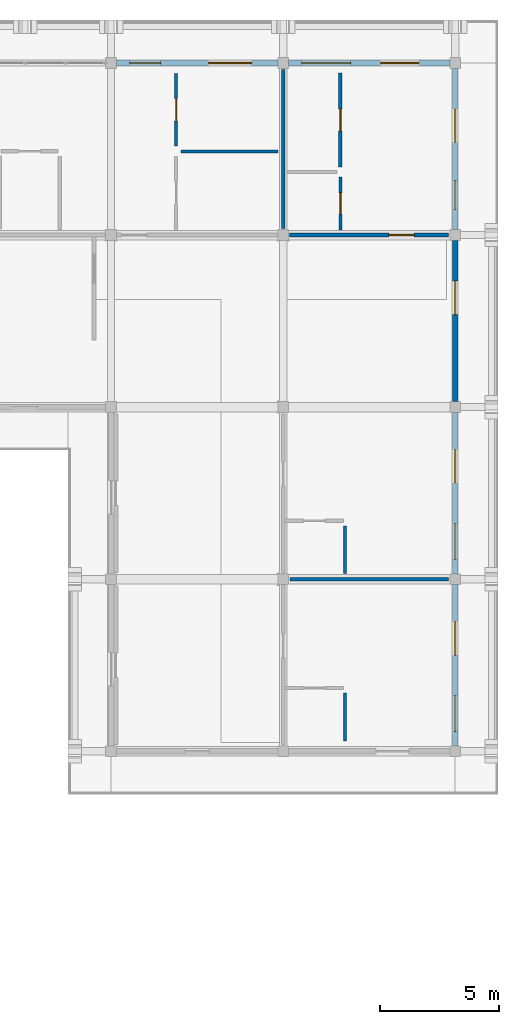
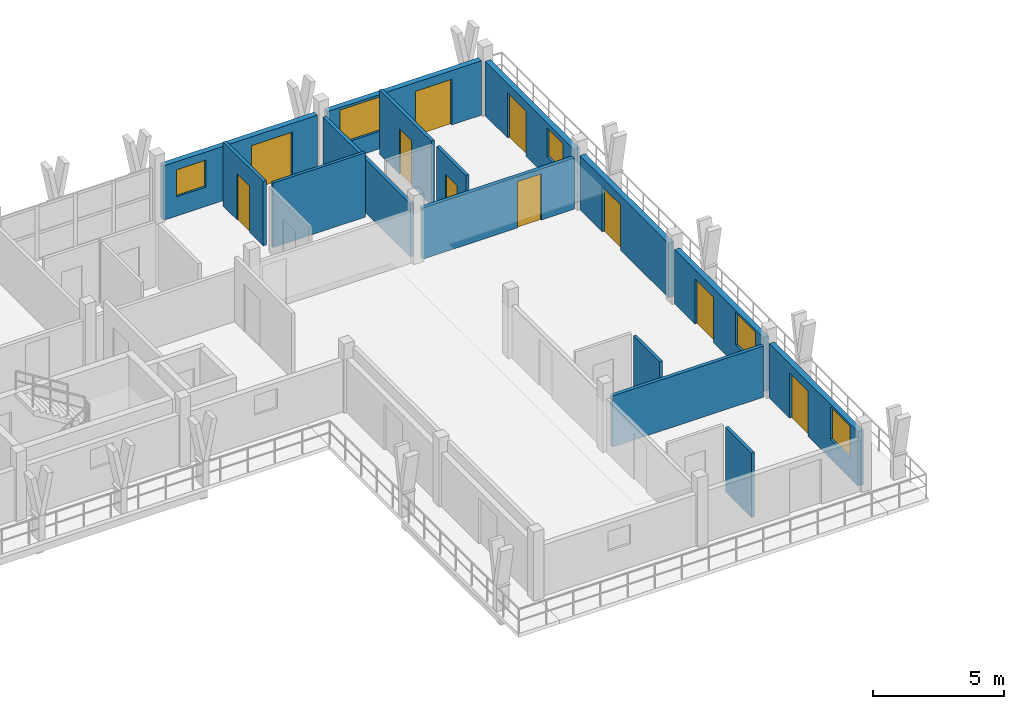
# One storey, part 35 of 45: 15 walls, 10 doors, 5 windows, 15 openings.
"""IFC4 building model written with IfcOpenShell, lengths in metres."""

from ifc_helpers import new_model, si_unit, direction, frame, frame_2d, origin, place, context, subcontext, project, spatial, rectangle, extrude, material, layer, layer_set, type_object, element, fill, save


model = new_model("IFC4")

# Units and contexts
model_context = context("Model", 3, precision=1e-05, world=origin(), true_north=direction((0.0, 1.0)))
body_context = subcontext(model_context, "Body", "Model", "MODEL_VIEW")
ifc_project = project(units=[si_unit("LENGTHUNIT", "METRE"), si_unit("AREAUNIT", "SQUARE_METRE"), si_unit("VOLUMEUNIT", "CUBIC_METRE"), si_unit("PLANEANGLEUNIT", "RADIAN"), si_unit("MASSUNIT", "GRAM", prefix="KILO")], contexts=[model_context])

# Site, building, storey
site_placement = place(None, origin())
site = spatial("IfcSite", under=ifc_project, at=site_placement, CompositionType="ELEMENT")
building_placement = place(site_placement, origin())
building = spatial("IfcBuilding", under=site, at=building_placement, Name="Suanplinth Sawtooth Commons", CompositionType="ELEMENT")
storey_placement = place(building_placement, frame((0.0, 0.0, 38.0)))
storey = spatial("IfcBuildingStorey", under=building, at=storey_placement, Name="L11", CompositionType="ELEMENT", Elevation=38.0)

# Wall, openings, door, window
ifc_material_1 = material(Name="Precast concrete C40/50", Category="concrete")
ifc_layer_1 = layer(ifc_material_1, 0.239990234375, Name="Upper insulated precast facade wall 240mm")
ifc_layer_set_1 = layer_set([ifc_layer_1], Name="Precast concrete C40/50")
wall_type_1 = type_object("IfcWallType", Name="W-EX03", PredefinedType="ELEMENTEDWALL", material=ifc_layer_set_1)
wall_1_placement = place(storey_placement, frame((173.02490234375, 122.39990234375, 0.0), z_axis=(0.0, 0.0, 1.0), x_axis=(1.0, 0.0, 0.0)))
wall_1 = element("IfcWall", 1, at=wall_1_placement, inside=storey, type_object=wall_type_1, Name="Facade Wall W-L11-B-N-24-16", PredefinedType="ELEMENTEDWALL", context=body_context, shape_type="SweptSolid", body=[
    extrude(rectangle(XDim=6.75, YDim=0.239990234375, at=frame_2d((3.375, 0.0))), origin(), (0.0, 0.0, 1.0), 2.52490234375),
])
opening_1_placement = place(wall_1_placement, frame((3.85009765625, 0.0, 0.0)))
opening_1 = element("IfcOpeningElement", 2, at=opening_1_placement, cuts=wall_1, Name="Opening ED0800", PredefinedType="OPENING", context=body_context, shape_type="SweptSolid", body=[
    extrude(rectangle(XDim=1.800048828125, YDim=2.1201171875, at=frame_2d((0.89990234375, 1.06005859375))), frame((0.0, 0.134765625, 0.0), z_axis=(0.0, -1.0, 0.0), x_axis=(1.0, 0.0, 0.0)), (0.0, 0.0, 1.0), 0.269775390625),
])
opening_2_placement = place(wall_1_placement, frame((0.550048828125, 0.0, 0.89990234375)))
opening_2 = element("IfcOpeningElement", 3, at=opening_2_placement, cuts=wall_1, Name="Opening W0884", PredefinedType="OPENING", context=body_context, shape_type="SweptSolid", body=[
    extrude(rectangle(XDim=1.300048828125, YDim=1.25, at=frame_2d((0.64990234375, 0.625))), frame((0.0, 0.134765625, 0.0), z_axis=(0.0, -1.0, 0.0), x_axis=(1.0, 0.0, 0.0)), (0.0, 0.0, 1.0), 0.269775390625),
])
ifc_material_2 = material(Name="Anodized aluminium and low-E glass", Category="aluminium")
door_type_1 = type_object("IfcDoorType", Name="SD-01", OperationType="SLIDING_TO_LEFT", PredefinedType="DOOR", material=ifc_material_2)
door_1_placement = place(opening_1_placement, frame((1.800048828125, 0.0, 0.0), z_axis=(0.0, 0.0, 1.0), x_axis=(-1.0, 0.0, 0.0)))
door_1 = element("IfcDoor", 4, at=door_1_placement, inside=storey, type_object=door_type_1, Name="Balcony Sliding Door L11-B-24", OperationType="SLIDING_TO_LEFT", OverallHeight=2.1201171875, OverallWidth=1.800048828125, PredefinedType="DOOR", context=body_context, shape_type="SweptSolid", body=[
    extrude(rectangle(XDim=1.800048828125, YDim=2.1201171875, at=frame_2d((0.89990234375, 1.06005859375))), frame((0.0, 0.02490234375, 0.0), z_axis=(0.0, -1.0, 0.0), x_axis=(1.0, 0.0, 0.0)), (0.0, 0.0, 1.0), 0.050048828125),
])
fill(opening_1, door_1)
ifc_material_3 = material(Name="Thermally broken aluminium and low-E double glazing", Category="aluminium")
window_type_1 = type_object("IfcWindowType", Name="WN-24", PartitioningType="SINGLE_PANEL", PredefinedType="WINDOW", material=ifc_material_3)
window_1_placement = place(opening_2_placement, origin())
window_1 = element("IfcWindow", 5, at=window_1_placement, inside=storey, type_object=window_type_1, Name="Apartment Window L11-B-24", OverallHeight=1.25, OverallWidth=1.300048828125, PartitioningType="SINGLE_PANEL", PredefinedType="WINDOW", context=body_context, shape_type="SweptSolid", body=[
    extrude(rectangle(XDim=1.300048828125, YDim=1.25, at=frame_2d((0.64990234375, 0.625))), frame((0.0, 0.030029296875, 0.0), z_axis=(0.0, -1.0, 0.0), x_axis=(1.0, 0.0, 0.0)), (0.0, 0.0, 1.0), 0.06005859375),
])
fill(opening_2, window_1)

wall_2_placement = place(storey_placement, frame((187.199951171875, 93.824951171875, 0.0), z_axis=(0.0, 0.0, 1.0), x_axis=(0.0, 1.0, 0.0)))
wall_2 = element("IfcWall", 6, at=wall_2_placement, inside=storey, type_object=wall_type_1, Name="Facade Wall W-L11-B-E-25-13", PredefinedType="ELEMENTEDWALL", context=body_context, shape_type="SweptSolid", body=[
    extrude(rectangle(XDim=6.75, YDim=0.239990234375, at=frame_2d((3.375, 0.0))), origin(), (0.0, 0.0, 1.0), 2.52490234375),
])
opening_3_placement = place(wall_2_placement, frame((3.800048828125, 0.0, 0.0)))
opening_3 = element("IfcOpeningElement", 7, at=opening_3_placement, cuts=wall_2, Name="Opening ED0802", PredefinedType="OPENING", context=body_context, shape_type="SweptSolid", body=[
    extrude(rectangle(XDim=1.39990234375, YDim=2.10009765625, at=frame_2d((0.699951171875, 1.050048828125))), frame((0.0, 0.134765625, 0.0), z_axis=(0.0, -1.0, 0.0), x_axis=(1.0, 0.0, 0.0)), (0.0, 0.0, 1.0), 0.269775390625),
])
opening_4_placement = place(wall_2_placement, frame((0.60009765625, 0.0, 0.9150390625)))
opening_4 = element("IfcOpeningElement", 8, at=opening_4_placement, cuts=wall_2, Name="Opening W0885", PredefinedType="OPENING", context=body_context, shape_type="SweptSolid", body=[
    extrude(rectangle(XDim=1.5, YDim=1.5, at=frame_2d((0.75, 0.75))), frame((0.0, 0.134765625, 0.0), z_axis=(0.0, -1.0, 0.0), x_axis=(1.0, 0.0, 0.0)), (0.0, 0.0, 1.0), 0.269775390625),
])
door_type_2 = type_object("IfcDoorType", Name="SD-07", OperationType="SLIDING_TO_RIGHT", PredefinedType="DOOR", material=ifc_material_2)
door_2_placement = place(opening_3_placement, frame((1.39990234375, 0.0, 0.0), z_axis=(0.0, 0.0, 1.0), x_axis=(-1.0, 0.0, 0.0)))
door_2 = element("IfcDoor", 9, at=door_2_placement, inside=storey, type_object=door_type_2, Name="Wing Balcony Sliding Door L11-B-13", OperationType="SLIDING_TO_RIGHT", OverallHeight=2.10009765625, OverallWidth=1.39990234375, PredefinedType="DOOR", context=body_context, shape_type="SweptSolid", body=[
    extrude(rectangle(XDim=1.39990234375, YDim=2.10009765625, at=frame_2d((0.699951171875, 1.050048828125))), frame((0.0, 0.02490234375, 0.0), z_axis=(0.0, -1.0, 0.0), x_axis=(1.0, 0.0, 0.0)), (0.0, 0.0, 1.0), 0.050048828125),
])
fill(opening_3, door_2)
window_type_2 = type_object("IfcWindowType", Name="WN-02", PartitioningType="DOUBLE_PANEL_VERTICAL", PredefinedType="WINDOW", material=ifc_material_3)
window_2_placement = place(opening_4_placement, origin())
window_2 = element("IfcWindow", 10, at=window_2_placement, inside=storey, type_object=window_type_2, Name="Wing Window L11-B-13", OverallHeight=1.5, OverallWidth=1.5, PartitioningType="DOUBLE_PANEL_VERTICAL", PredefinedType="WINDOW", context=body_context, shape_type="SweptSolid", body=[
    extrude(rectangle(XDim=1.5, YDim=1.5, at=frame_2d((0.75, 0.75))), frame((0.0, 0.030029296875, 0.0), z_axis=(0.0, -1.0, 0.0), x_axis=(1.0, 0.0, 0.0)), (0.0, 0.0, 1.0), 0.06005859375),
])
fill(opening_4, window_2)

wall_3_placement = place(storey_placement, frame((187.199951171875, 101.02490234375, 0.0), z_axis=(0.0, 0.0, 1.0), x_axis=(0.0, 1.0, 0.0)))
wall_3 = element("IfcWall", 11, at=wall_3_placement, inside=storey, type_object=wall_type_1, Name="Facade Wall W-L11-B-E-25-14", PredefinedType="ELEMENTEDWALL", context=body_context, shape_type="SweptSolid", body=[
    extrude(rectangle(XDim=6.75, YDim=0.239990234375, at=frame_2d((3.375, 0.0))), origin(), (0.0, 0.0, 1.0), 2.52490234375),
])
opening_5_placement = place(wall_3_placement, frame((3.800048828125, 0.0, 0.0)))
opening_5 = element("IfcOpeningElement", 12, at=opening_5_placement, cuts=wall_3, Name="Opening ED0803", PredefinedType="OPENING", context=body_context, shape_type="SweptSolid", body=[
    extrude(rectangle(XDim=1.39990234375, YDim=2.10009765625, at=frame_2d((0.699951171875, 1.050048828125))), frame((0.0, 0.134765625, 0.0), z_axis=(0.0, -1.0, 0.0), x_axis=(1.0, 0.0, 0.0)), (0.0, 0.0, 1.0), 0.269775390625),
])
opening_6_placement = place(wall_3_placement, frame((0.60009765625, 0.0, 0.9150390625)))
opening_6 = element("IfcOpeningElement", 13, at=opening_6_placement, cuts=wall_3, Name="Opening W0886", PredefinedType="OPENING", context=body_context, shape_type="SweptSolid", body=[
    extrude(rectangle(XDim=1.5, YDim=1.5, at=frame_2d((0.75, 0.75))), frame((0.0, 0.134765625, 0.0), z_axis=(0.0, -1.0, 0.0), x_axis=(1.0, 0.0, 0.0)), (0.0, 0.0, 1.0), 0.269775390625),
])
door_3_placement = place(opening_5_placement, frame((1.39990234375, 0.0, 0.0), z_axis=(0.0, 0.0, 1.0), x_axis=(-1.0, 0.0, 0.0)))
door_3 = element("IfcDoor", 14, at=door_3_placement, inside=storey, type_object=door_type_2, Name="Wing Balcony Sliding Door L11-B-14", OperationType="SLIDING_TO_RIGHT", OverallHeight=2.10009765625, OverallWidth=1.39990234375, PredefinedType="DOOR", context=body_context, shape_type="SweptSolid", body=[
    extrude(rectangle(XDim=1.39990234375, YDim=2.10009765625, at=frame_2d((0.699951171875, 1.050048828125))), frame((0.0, 0.02490234375, 0.0), z_axis=(0.0, -1.0, 0.0), x_axis=(1.0, 0.0, 0.0)), (0.0, 0.0, 1.0), 0.050048828125),
])
fill(opening_5, door_3)
window_3_placement = place(opening_6_placement, origin())
window_3 = element("IfcWindow", 15, at=window_3_placement, inside=storey, type_object=window_type_2, Name="Wing Window L11-B-14", OverallHeight=1.5, OverallWidth=1.5, PartitioningType="DOUBLE_PANEL_VERTICAL", PredefinedType="WINDOW", context=body_context, shape_type="SweptSolid", body=[
    extrude(rectangle(XDim=1.5, YDim=1.5, at=frame_2d((0.75, 0.75))), frame((0.0, 0.030029296875, 0.0), z_axis=(0.0, -1.0, 0.0), x_axis=(1.0, 0.0, 0.0)), (0.0, 0.0, 1.0), 0.06005859375),
])
fill(opening_6, window_3)

# Wall, opening, door
wall_4_placement = place(storey_placement, frame((187.199951171875, 108.22509765625, 0.0), z_axis=(0.0, 0.0, 1.0), x_axis=(0.0, 1.0, 0.0)))
wall_4 = element("IfcWall", 16, at=wall_4_placement, inside=storey, type_object=wall_type_1, Name="Facade Wall W-L11-B-E-25-15", PredefinedType="ELEMENTEDWALL", context=body_context, shape_type="SweptSolid", body=[
    extrude(rectangle(XDim=6.75, YDim=0.239990234375, at=frame_2d((3.375, 0.0))), origin(), (0.0, 0.0, 1.0), 2.52490234375),
])
opening_7_placement = place(wall_4_placement, frame((3.64990234375, 0.0, 0.0)))
opening_7 = element("IfcOpeningElement", 17, at=opening_7_placement, cuts=wall_4, Name="Opening ED0804", PredefinedType="OPENING", context=body_context, shape_type="SweptSolid", body=[
    extrude(rectangle(XDim=1.39990234375, YDim=2.10009765625, at=frame_2d((0.699951171875, 1.050048828125))), frame((0.0, 0.134765625, 0.0), z_axis=(0.0, -1.0, 0.0), x_axis=(1.0, 0.0, 0.0)), (0.0, 0.0, 1.0), 0.269775390625),
])
door_4_placement = place(opening_7_placement, frame((1.39990234375, 0.0, 0.0), z_axis=(0.0, 0.0, 1.0), x_axis=(-1.0, 0.0, 0.0)))
door_4 = element("IfcDoor", 18, at=door_4_placement, inside=storey, type_object=door_type_2, Name="End Balcony Sliding Door L11-B-E-25-15", OperationType="SLIDING_TO_RIGHT", OverallHeight=2.10009765625, OverallWidth=1.39990234375, PredefinedType="DOOR", context=body_context, shape_type="SweptSolid", body=[
    extrude(rectangle(XDim=1.39990234375, YDim=2.10009765625, at=frame_2d((0.699951171875, 1.050048828125))), frame((0.0, 0.02490234375, 0.0), z_axis=(0.0, -1.0, 0.0), x_axis=(1.0, 0.0, 0.0)), (0.0, 0.0, 1.0), 0.050048828125),
])
fill(opening_7, door_4)

# Wall, openings, door, window
wall_5_placement = place(storey_placement, frame((180.22509765625, 122.39990234375, 0.0), z_axis=(0.0, 0.0, 1.0), x_axis=(1.0, 0.0, 0.0)))
wall_5 = element("IfcWall", 19, at=wall_5_placement, inside=storey, type_object=wall_type_1, Name="Facade Wall W-L11-B-N-25-16", PredefinedType="ELEMENTEDWALL", context=body_context, shape_type="SweptSolid", body=[
    extrude(rectangle(XDim=6.75, YDim=0.239990234375, at=frame_2d((3.375, 0.0))), origin(), (0.0, 0.0, 1.0), 2.52490234375),
])
opening_8_placement = place(wall_5_placement, frame((3.85009765625, 0.0, 0.0)))
opening_8 = element("IfcOpeningElement", 20, at=opening_8_placement, cuts=wall_5, Name="Opening ED0805", PredefinedType="OPENING", context=body_context, shape_type="SweptSolid", body=[
    extrude(rectangle(XDim=1.60009765625, YDim=2.1201171875, at=frame_2d((0.800048828125, 1.06005859375))), frame((0.0, 0.134765625, 0.0), z_axis=(0.0, -1.0, 0.0), x_axis=(1.0, 0.0, 0.0)), (0.0, 0.0, 1.0), 0.269775390625),
])
opening_9_placement = place(wall_5_placement, frame((0.550048828125, 0.0, 0.81494140625)))
opening_9 = element("IfcOpeningElement", 21, at=opening_9_placement, cuts=wall_5, Name="Opening W0887", PredefinedType="OPENING", context=body_context, shape_type="SweptSolid", body=[
    extrude(rectangle(XDim=2.050048828125, YDim=1.60009765625, at=frame_2d((1.02490234375, 0.800048828125))), frame((0.0, 0.134765625, 0.0), z_axis=(0.0, -1.0, 0.0), x_axis=(1.0, 0.0, 0.0)), (0.0, 0.0, 1.0), 0.269775390625),
])
door_type_3 = type_object("IfcDoorType", Name="SD-02", OperationType="SLIDING_TO_RIGHT", PredefinedType="DOOR", material=ifc_material_2)
door_5_placement = place(opening_8_placement, frame((1.60009765625, 0.0, 0.0), z_axis=(0.0, 0.0, 1.0), x_axis=(-1.0, 0.0, 0.0)))
door_5 = element("IfcDoor", 22, at=door_5_placement, inside=storey, type_object=door_type_3, Name="Balcony Sliding Door L11-B-25", OperationType="SLIDING_TO_RIGHT", OverallHeight=2.1201171875, OverallWidth=1.60009765625, PredefinedType="DOOR", context=body_context, shape_type="SweptSolid", body=[
    extrude(rectangle(XDim=1.60009765625, YDim=2.1201171875, at=frame_2d((0.800048828125, 1.06005859375))), frame((0.0, 0.02490234375, 0.0), z_axis=(0.0, -1.0, 0.0), x_axis=(1.0, 0.0, 0.0)), (0.0, 0.0, 1.0), 0.050048828125),
])
fill(opening_8, door_5)
window_type_3 = type_object("IfcWindowType", Name="WN-25", PartitioningType="DOUBLE_PANEL_VERTICAL", PredefinedType="WINDOW", material=ifc_material_3)
window_4_placement = place(opening_9_placement, origin())
window_4 = element("IfcWindow", 23, at=window_4_placement, inside=storey, type_object=window_type_3, Name="Apartment Window L11-B-25", OverallHeight=1.60009765625, OverallWidth=2.050048828125, PartitioningType="DOUBLE_PANEL_VERTICAL", PredefinedType="WINDOW", context=body_context, shape_type="SweptSolid", body=[
    extrude(rectangle(XDim=2.050048828125, YDim=1.60009765625, at=frame_2d((1.02490234375, 0.800048828125))), frame((0.0, 0.030029296875, 0.0), z_axis=(0.0, -1.0, 0.0), x_axis=(1.0, 0.0, 0.0)), (0.0, 0.0, 1.0), 0.06005859375),
])
fill(opening_9, window_4)

wall_6_placement = place(storey_placement, frame((187.199951171875, 115.425048828125, 0.0), z_axis=(0.0, 0.0, 1.0), x_axis=(0.0, 1.0, 0.0)))
wall_6 = element("IfcWall", 24, at=wall_6_placement, inside=storey, type_object=wall_type_1, Name="Facade Wall W-L11-B-E-25-16", PredefinedType="ELEMENTEDWALL", context=body_context, shape_type="SweptSolid", body=[
    extrude(rectangle(XDim=6.75, YDim=0.239990234375, at=frame_2d((3.375, 0.0))), origin(), (0.0, 0.0, 1.0), 2.52490234375),
])
opening_10_placement = place(wall_6_placement, frame((3.64990234375, 0.0, 0.0)))
opening_10 = element("IfcOpeningElement", 25, at=opening_10_placement, cuts=wall_6, Name="Opening ED0806", PredefinedType="OPENING", context=body_context, shape_type="SweptSolid", body=[
    extrude(rectangle(XDim=1.39990234375, YDim=2.10009765625, at=frame_2d((0.699951171875, 1.050048828125))), frame((0.0, 0.134765625, 0.0), z_axis=(0.0, -1.0, 0.0), x_axis=(1.0, 0.0, 0.0)), (0.0, 0.0, 1.0), 0.269775390625),
])
opening_11_placement = place(wall_6_placement, frame((0.85009765625, 0.0, 0.949951171875)))
opening_11 = element("IfcOpeningElement", 26, at=opening_11_placement, cuts=wall_6, Name="Opening W0888", PredefinedType="OPENING", context=body_context, shape_type="SweptSolid", body=[
    extrude(rectangle(XDim=1.199951171875, YDim=1.35009765625, at=frame_2d((0.60009765625, 0.675048828125))), frame((0.0, 0.134765625, 0.0), z_axis=(0.0, -1.0, 0.0), x_axis=(1.0, 0.0, 0.0)), (0.0, 0.0, 1.0), 0.269775390625),
])
door_6_placement = place(opening_10_placement, frame((1.39990234375, 0.0, 0.0), z_axis=(0.0, 0.0, 1.0), x_axis=(-1.0, 0.0, 0.0)))
door_6 = element("IfcDoor", 27, at=door_6_placement, inside=storey, type_object=door_type_2, Name="End Balcony Sliding Door L11-B-E-25-16", OperationType="SLIDING_TO_RIGHT", OverallHeight=2.10009765625, OverallWidth=1.39990234375, PredefinedType="DOOR", context=body_context, shape_type="SweptSolid", body=[
    extrude(rectangle(XDim=1.39990234375, YDim=2.10009765625, at=frame_2d((0.699951171875, 1.050048828125))), frame((0.0, 0.02490234375, 0.0), z_axis=(0.0, -1.0, 0.0), x_axis=(1.0, 0.0, 0.0)), (0.0, 0.0, 1.0), 0.050048828125),
])
fill(opening_10, door_6)
window_type_4 = type_object("IfcWindowType", Name="WN-03", PartitioningType="SINGLE_PANEL", PredefinedType="WINDOW", material=ifc_material_3)
window_5_placement = place(opening_11_placement, origin())
window_5 = element("IfcWindow", 28, at=window_5_placement, inside=storey, type_object=window_type_4, Name="End Bedroom Window L11-B-25-16", OverallHeight=1.35009765625, OverallWidth=1.199951171875, PartitioningType="SINGLE_PANEL", PredefinedType="WINDOW", context=body_context, shape_type="SweptSolid", body=[
    extrude(rectangle(XDim=1.199951171875, YDim=1.35009765625, at=frame_2d((0.60009765625, 0.675048828125))), frame((0.0, 0.030029296875, 0.0), z_axis=(0.0, -1.0, 0.0), x_axis=(1.0, 0.0, 0.0)), (0.0, 0.0, 1.0), 0.06005859375),
])
fill(opening_11, window_5)

# Wall, opening, door
ifc_layer_2 = layer(ifc_material_1, 0.159912109375, Name="Fire-rated corridor and lobby wall 160mm")
ifc_layer_set_2 = layer_set([ifc_layer_2], Name="Precast concrete C40/50")
wall_type_2 = type_object("IfcWallType", Name="W-FW01", PredefinedType="PARTITIONING", material=ifc_layer_set_2)
wall_7_placement = place(storey_placement, frame((180.2548828125, 115.199951171875, 0.0), z_axis=(0.0, 0.0, 1.0), x_axis=(1.0, 0.0, 0.0)))
wall_7 = element("IfcWall", 29, at=wall_7_placement, inside=storey, type_object=wall_type_2, Name="W-B-L11-U05-COR", PredefinedType="PARTITIONING", context=body_context, shape_type="SweptSolid", body=[
    extrude(rectangle(XDim=6.6650390625, YDim=0.159912109375, at=frame_2d((3.33251953125, 0.0))), origin(), (0.0, 0.0, 1.0), 2.375),
])
opening_12_placement = place(wall_7_placement, frame((4.169921875, 0.0, 0.0)))
opening_12 = element("IfcOpeningElement", 30, at=opening_12_placement, cuts=wall_7, Name="Opening FD1973", PredefinedType="OPENING", context=body_context, shape_type="SweptSolid", body=[
    extrude(rectangle(XDim=1.050048828125, YDim=2.14990234375, at=frame_2d((0.52490234375, 1.074951171875))), frame((0.0, 0.0947265625, 0.0), z_axis=(0.0, -1.0, 0.0), x_axis=(1.0, 0.0, 0.0)), (0.0, 0.0, 1.0), 0.189697265625),
])
ifc_material_4 = material(Name="Teak hardwood fire-rated door assembly", Category="wood")
door_type_4 = type_object("IfcDoorType", Name="FD-04", OperationType="NOTDEFINED", PredefinedType="DOOR", material=ifc_material_4)
door_7_placement = place(opening_12_placement, origin())
door_7 = element("IfcDoor", 31, at=door_7_placement, inside=storey, type_object=door_type_4, Name="Unit Entrance Door FD1973", OperationType="SINGLE_SWING_LEFT", OverallHeight=2.14990234375, OverallWidth=1.050048828125, PredefinedType="DOOR", context=body_context, shape_type="SweptSolid", body=[
    extrude(rectangle(XDim=1.050048828125, YDim=2.14990234375, at=frame_2d((0.52490234375, 1.074951171875))), frame((0.0, 0.02490234375, 0.0), z_axis=(0.0, -1.0, 0.0), x_axis=(1.0, 0.0, 0.0)), (0.0, 0.0, 1.0), 0.050048828125),
])
fill(opening_12, door_7)

# Walls
ifc_layer_3 = layer(ifc_material_1, 0.14990234375, Name="Acoustic precast party demising wall 150mm")
ifc_layer_set_3 = layer_set([ifc_layer_3], Name="Precast concrete C40/50")
wall_type_3 = type_object("IfcWallType", Name="W-FW02", PredefinedType="PARTITIONING", material=ifc_layer_set_3)
wall_8_placement = place(storey_placement, frame((180.0, 115.47998046875, 0.0), z_axis=(0.0, 0.0, 1.0), x_axis=(0.0, 1.0, 0.0)))
element("IfcWall", 32, at=wall_8_placement, inside=storey, type_object=wall_type_3, Name="W-B-L11-U04-PTY", PredefinedType="PARTITIONING", context=body_context, shape_type="SweptSolid", body=[
    extrude(rectangle(XDim=6.64013671875, YDim=0.14990234375, at=frame_2d((3.320068359375, 0.0))), origin(), (0.0, 0.0, 1.0), 2.47509765625),
])
wall_9_placement = place(storey_placement, frame((180.280029296875, 100.800048828125, 0.0), z_axis=(0.0, 0.0, 1.0), x_axis=(1.0, 0.0, 0.0)))
element("IfcWall", 33, at=wall_9_placement, inside=storey, type_object=wall_type_3, Name="W-B-L11-L01-PTY", PredefinedType="PARTITIONING", context=body_context, shape_type="SweptSolid", body=[
    extrude(rectangle(XDim=6.639892578125, YDim=0.14990234375, at=frame_2d((3.31982421875, 0.0))), origin(), (0.0, 0.0, 1.0), 2.375),
])

# Wall, opening, door
ifc_material_5 = material(Name="Gypsum plasterboard on steel stud", Category="steel")
ifc_layer_4 = layer(ifc_material_5, 0.139892578125, Name="Fire-rated kitchen partition 140mm")
ifc_layer_set_4 = layer_set([ifc_layer_4], Name="Gypsum plasterboard on steel stud")
wall_type_4 = type_object("IfcWallType", Name="W-PT01", PredefinedType="PARTITIONING", material=ifc_layer_set_4)
wall_10_placement = place(storey_placement, frame((182.39501953125, 118.0400390625, 0.0), z_axis=(0.0, 0.0, 1.0), x_axis=(0.0, 1.0, 0.0)))
wall_10 = element("IfcWall", 34, at=wall_10_placement, inside=storey, type_object=wall_type_4, Name="W-B-L11-U05-KITE", PredefinedType="PARTITIONING", context=body_context, shape_type="SweptSolid", body=[
    extrude(rectangle(XDim=3.93994140625, YDim=0.139892578125, at=frame_2d((1.969970703125, 0.0))), origin(), (0.0, 0.0, 1.0), 2.989990234375),
])
opening_13_placement = place(wall_10_placement, frame((1.510009765625, 0.0, 0.0)))
opening_13 = element("IfcOpeningElement", 35, at=opening_13_placement, cuts=wall_10, Name="Opening D1975", PredefinedType="OPENING", context=body_context, shape_type="SweptSolid", body=[
    extrude(rectangle(XDim=0.919921875, YDim=2.10009765625, at=frame_2d((0.4599609375, 1.050048828125))), frame((0.0, 0.0849609375, 0.0), z_axis=(0.0, -1.0, 0.0), x_axis=(1.0, 0.0, 0.0)), (0.0, 0.0, 1.0), 0.169677734375),
])
ifc_material_6 = material(Name="Teak hardwood", Category="wood")
door_type_5 = type_object("IfcDoorType", Name="D-02", OperationType="NOTDEFINED", PredefinedType="DOOR", material=ifc_material_6)
door_8_placement = place(opening_13_placement, origin())
door_8 = element("IfcDoor", 36, at=door_8_placement, inside=storey, type_object=door_type_5, Name="Kitchen Door D1975", OperationType="SINGLE_SWING_LEFT", OverallHeight=2.10009765625, OverallWidth=0.919921875, PredefinedType="DOOR", context=body_context, shape_type="SweptSolid", body=[
    extrude(rectangle(XDim=0.919921875, YDim=2.10009765625, at=frame_2d((0.4599609375, 1.050048828125))), frame((0.0, 0.02490234375, 0.0), z_axis=(0.0, -1.0, 0.0), x_axis=(1.0, 0.0, 0.0)), (0.0, 0.0, 1.0), 0.050048828125),
])
fill(opening_13, door_8)

ifc_layer_5 = layer(ifc_material_5, 0.1298828125, Name="Moisture-resistant bathroom partition 130mm")
ifc_layer_set_5 = layer_set([ifc_layer_5], Name="Gypsum plasterboard on steel stud")
wall_type_5 = type_object("IfcWallType", Name="W-PT02", PredefinedType="PARTITIONING", material=ifc_layer_set_5)
wall_11_placement = place(storey_placement, frame((182.39501953125, 115.419921875, 0.0), z_axis=(0.0, 0.0, 1.0), x_axis=(0.0, 1.0, 0.0)))
wall_11 = element("IfcWall", 37, at=wall_11_placement, inside=storey, type_object=wall_type_5, Name="W-B-L11-U05-BTHE", PredefinedType="PARTITIONING", context=body_context, shape_type="SweptSolid", body=[
    extrude(rectangle(XDim=2.219970703125, YDim=0.1298828125, at=frame_2d((1.10986328125, 0.0))), origin(), (0.0, 0.0, 1.0), 2.989990234375),
])
opening_14_placement = place(wall_11_placement, frame((0.669921875, 0.0, 0.0)))
opening_14 = element("IfcOpeningElement", 38, at=opening_14_placement, cuts=wall_11, Name="Opening D1974", PredefinedType="OPENING", context=body_context, shape_type="SweptSolid", body=[
    extrude(rectangle(XDim=0.8798828125, YDim=2.10009765625, at=frame_2d((0.43994140625, 1.050048828125))), frame((0.0, 0.079833984375, 0.0), z_axis=(0.0, -1.0, 0.0), x_axis=(1.0, 0.0, 0.0)), (0.0, 0.0, 1.0), 0.15966796875),
])
door_type_6 = type_object("IfcDoorType", Name="D-14", OperationType="NOTDEFINED", PredefinedType="DOOR", material=ifc_material_6)
door_9_placement = place(opening_14_placement, origin())
door_9 = element("IfcDoor", 39, at=door_9_placement, inside=storey, type_object=door_type_6, Name="Bathroom Door D1974", OperationType="SINGLE_SWING_RIGHT", OverallHeight=2.10009765625, OverallWidth=0.8798828125, PredefinedType="DOOR", context=body_context, shape_type="SweptSolid", body=[
    extrude(rectangle(XDim=0.8798828125, YDim=2.10009765625, at=frame_2d((0.43994140625, 1.050048828125))), frame((0.0, 0.02490234375, 0.0), z_axis=(0.0, -1.0, 0.0), x_axis=(1.0, 0.0, 0.0)), (0.0, 0.0, 1.0), 0.050048828125),
])
fill(opening_14, door_9)

# Walls
for number, where, z_axis, x_axis, name in (
    (40, (182.594970703125, 94.030029296875, 0.0), (0.0, 0.0, 1.0), (0.0, 1.0, 0.0), "W-B-L11-L01-BTH2"),
    (41, (182.594970703125, 101.030029296875, 0.0), (0.0, 0.0, 1.0), (0.0, 1.0, 0.0), "W-B-L11-L02-BTH2"),
):
    element("IfcWall", number, at=place(storey_placement, frame(where, z_axis=z_axis, x_axis=x_axis)), inside=storey, type_object=wall_type_5, Name=name, PredefinedType="PARTITIONING", context=body_context, shape_type="SweptSolid", body=[
        extrude(rectangle(XDim=2.0, YDim=0.1298828125, at=frame_2d((1.0, 0.0))), origin(), (0.0, 0.0, 1.0), 2.989990234375),
    ])
ifc_layer_6 = layer(ifc_material_5, 0.125, Name="Acoustic study partition 125mm")
ifc_layer_set_6 = layer_set([ifc_layer_6], Name="Gypsum plasterboard on steel stud")
wall_type_6 = type_object("IfcWallType", Name="W-PT06", PredefinedType="PARTITIONING", material=ifc_layer_set_6)
wall_12_placement = place(storey_placement, frame((175.719970703125, 118.699951171875, 0.0), z_axis=(0.0, 0.0, 1.0), x_axis=(1.0, 0.0, 0.0)))
element("IfcWall", 42, at=wall_12_placement, inside=storey, type_object=wall_type_6, Name="W-B-L11-U04-BEDDIV", PredefinedType="PARTITIONING", context=body_context, shape_type="SweptSolid", body=[
    extrude(rectangle(XDim=4.06005859375, YDim=0.125, at=frame_2d((2.030029296875, 0.0))), origin(), (0.0, 0.0, 1.0), 2.989990234375),
])

# Wall, opening, door
ifc_layer_7 = layer(ifc_material_5, 0.135009765625, Name="Insulated bedroom demising partition 135mm")
ifc_layer_set_7 = layer_set([ifc_layer_7], Name="Gypsum plasterboard on steel stud")
wall_type_7 = type_object("IfcWallType", Name="W-PT07", PredefinedType="PARTITIONING", material=ifc_layer_set_7)
wall_13_placement = place(storey_placement, frame((175.52001953125, 118.919921875, 0.0), z_axis=(0.0, 0.0, 1.0), x_axis=(0.0, 1.0, 0.0)))
wall_13 = element("IfcWall", 43, at=wall_13_placement, inside=storey, type_object=wall_type_7, Name="W-B-L11-U04-BED1", PredefinedType="PARTITIONING", context=body_context, shape_type="SweptSolid", body=[
    extrude(rectangle(XDim=3.0400390625, YDim=0.135009765625, at=frame_2d((1.52001953125, 0.0))), origin(), (0.0, 0.0, 1.0), 2.989990234375),
])
opening_15_placement = place(wall_13_placement, frame((1.044921875, 0.0, 0.0)))
opening_15 = element("IfcOpeningElement", 44, at=opening_15_placement, cuts=wall_13, Name="Opening D1971", PredefinedType="OPENING", context=body_context, shape_type="SweptSolid", body=[
    extrude(rectangle(XDim=0.949951171875, YDim=2.14990234375, at=frame_2d((0.47509765625, 1.074951171875))), frame((0.0, 0.08251953125, 0.0), z_axis=(0.0, -1.0, 0.0), x_axis=(1.0, 0.0, 0.0)), (0.0, 0.0, 1.0), 0.164794921875),
])
door_type_7 = type_object("IfcDoorType", Name="D-03", OperationType="NOTDEFINED", PredefinedType="DOOR", material=ifc_material_6)
door_10_placement = place(opening_15_placement, frame((0.949951171875, 0.0, 0.0), z_axis=(0.0, 0.0, 1.0), x_axis=(-1.0, 0.0, 0.0)))
door_10 = element("IfcDoor", 45, at=door_10_placement, inside=storey, type_object=door_type_7, Name="Bedroom Door D1971", OperationType="SINGLE_SWING_LEFT", OverallHeight=2.14990234375, OverallWidth=0.949951171875, PredefinedType="DOOR", context=body_context, shape_type="SweptSolid", body=[
    extrude(rectangle(XDim=0.949951171875, YDim=2.14990234375, at=frame_2d((0.47509765625, 1.074951171875))), frame((0.0, 0.02490234375, 0.0), z_axis=(0.0, -1.0, 0.0), x_axis=(1.0, 0.0, 0.0)), (0.0, 0.0, 1.0), 0.050048828125),
])
fill(opening_15, door_10)

save(model, "model.ifc")
